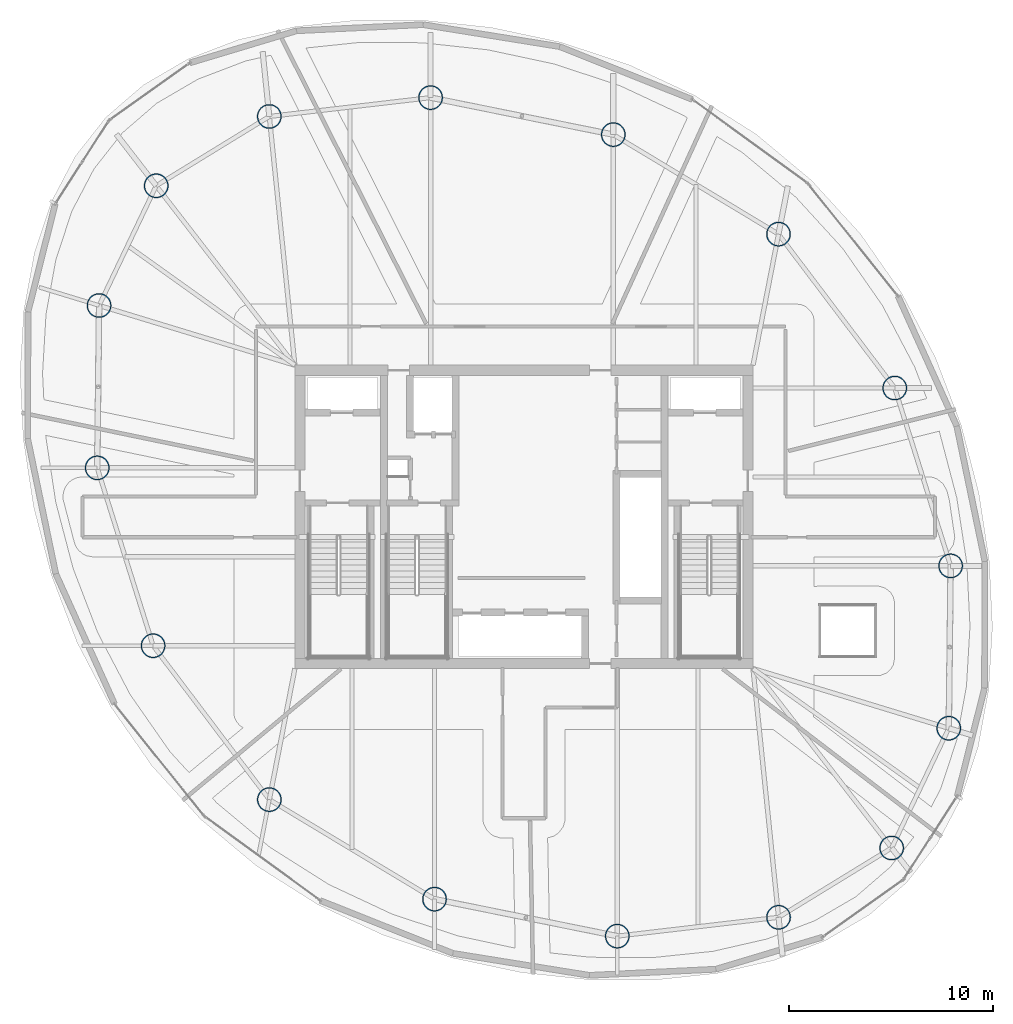
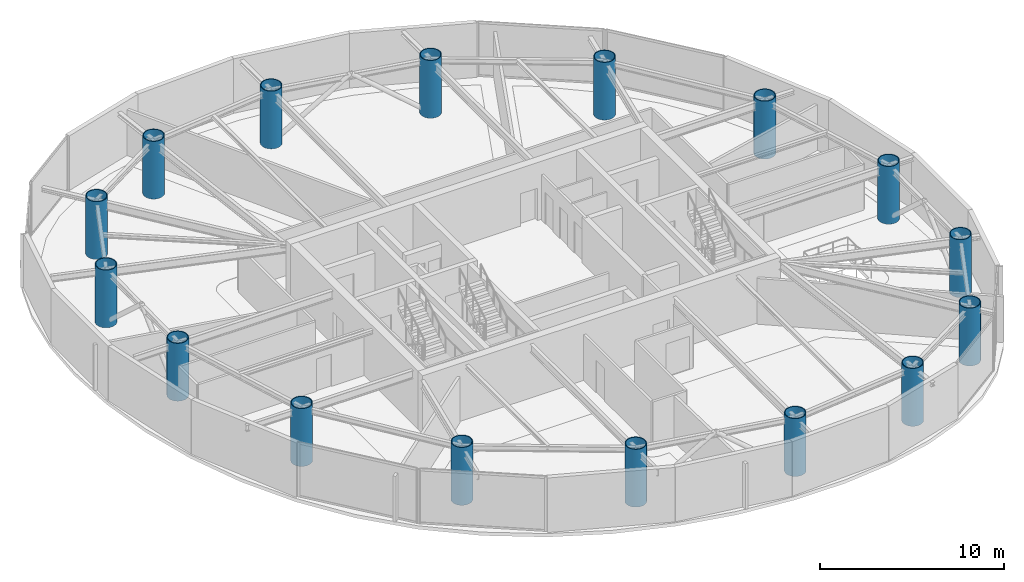
# One storey, part 1 of 18: 16 columns.
"""IFC4 building model written with IfcOpenShell, lengths in metres."""

from ifc_helpers import new_model, si_unit, direction, frame, origin, origin_2d, place, context, subcontext, project, spatial, hollow_circle, extrude, material, material_profile, profile_set, type_object, element, save


model = new_model("IFC4")

# Units and contexts
model_context = context("Model", 3, precision=1e-05, world=origin(), true_north=direction((0.0, 1.0)))
body_context = subcontext(model_context, "Body", "Model", "MODEL_VIEW")
ifc_project = project(units=[si_unit("LENGTHUNIT", "METRE"), si_unit("AREAUNIT", "SQUARE_METRE"), si_unit("VOLUMEUNIT", "CUBIC_METRE"), si_unit("PLANEANGLEUNIT", "RADIAN"), si_unit("MASSUNIT", "GRAM", prefix="KILO")], contexts=[model_context])

# Site, building, storey
site_placement = place(None, origin())
site = spatial("IfcSite", under=ifc_project, at=site_placement, CompositionType="ELEMENT")
building_placement = place(site_placement, origin())
building = spatial("IfcBuilding", under=site, at=building_placement, Name="Bramvorn Convention Spire", CompositionType="ELEMENT")
storey_placement = place(building_placement, frame((0.0, 0.0, 205.85009765625)))
storey = spatial("IfcBuildingStorey", under=building, at=storey_placement, Name="L52", CompositionType="ELEMENT", Elevation=205.85009765625)

# Columns
ifc_material = material(Name="Steel CSA G40.21 Grade 350 (350W)", Category="steel")
ifc_material_profile = material_profile(ifc_material, hollow_circle(Radius=0.60009765625, WallThickness=0.050048828125, at=origin_2d()))
ifc_profile_set = profile_set([ifc_material_profile], Name="Steel CSA G40.21 Grade 350 (350W) - CFT1200X50")
column_type = type_object("IfcColumnType", Name="COL-CFT1200X50", PredefinedType="COLUMN", material=ifc_profile_set)
for number, where, z_axis, x_axis, name in (
    (1, (56.058349609375, 9.739990234375, 0.0), (0.0, 0.0, 1.0), (1.0, 0.0, 0.0), "L52 composite CFT mega-column MC01"),
    (2, (58.863037109375, 15.619384765625, 0.0), (0.0, 0.0, 1.0), (1.0, 0.0, 0.0), "L52 composite CFT mega-column MC02"),
    (3, (58.95458984375, 23.593505859375, 0.0), (0.0, 0.0, 1.0), (1.0, 0.0, 0.0), "L52 composite CFT mega-column MC03"),
    (4, (56.21044921875, 32.327392578125, 0.0), (0.0, 0.0, 1.0), (1.0, 0.0, 0.0), "L52 composite CFT mega-column MC04"),
    (5, (50.501953125, 39.885009765625, 0.0), (0.0, 0.0, 1.0), (1.0, 0.0, 0.0), "L52 composite CFT mega-column MC05"),
    (6, (42.38916015625, 44.772216796875, 0.0), (0.0, 0.0, 1.0), (1.0, 0.0, 0.0), "L52 composite CFT mega-column MC06"),
    (7, (33.416259765625, 46.58837890625, 0.0), (0.0, 0.0, 1.0), (1.0, 0.0, 0.0), "L52 composite CFT mega-column MC07"),
    (8, (25.49560546875, 45.663818359375, 0.0), (0.0, 0.0, 1.0), (1.0, 0.0, 0.0), "L52 composite CFT mega-column MC08"),
    (9, (19.941650390625, 42.260009765625, 0.0), (0.0, 0.0, 1.0), (1.0, 0.0, 0.0), "L52 composite CFT mega-column MC09"),
    (10, (17.136962890625, 36.380615234375, 0.0), (0.0, 0.0, 1.0), (1.0, 0.0, 0.0), "L52 composite CFT mega-column MC10"),
    (11, (17.04541015625, 28.406494140625, 0.0), (0.0, 0.0, 1.0), (1.0, 0.0, 0.0), "L52 composite CFT mega-column MC11"),
    (12, (19.78955078125, 19.672607421875, 0.0), (0.0, 0.0, 1.0), (1.0, 0.0, 0.0), "L52 composite CFT mega-column MC12"),
    (13, (25.498046875, 12.114990234375, 0.0), (0.0, 0.0, 1.0), (1.0, 0.0, 0.0), "L52 composite CFT mega-column MC13"),
    (14, (33.61083984375, 7.227783203125, 0.0), (0.0, 0.0, 1.0), (1.0, 0.0, 0.0), "L52 composite CFT mega-column MC14"),
    (15, (42.583740234375, 5.41162109375, 0.0), (0.0, 0.0, 1.0), (1.0, 0.0, 0.0), "L52 composite CFT mega-column MC15"),
    (16, (50.50439453125, 6.336181640625, 0.0), (0.0, 0.0, 1.0), (1.0, 0.0, 0.0), "L52 composite CFT mega-column MC16"),
):
    element("IfcColumn", number, at=place(storey_placement, frame(where, z_axis=z_axis, x_axis=x_axis)), inside=storey, type_object=column_type, Name=name, PredefinedType="COLUMN", context=body_context, shape_type="SweptSolid", body=[
        extrude(hollow_circle(Radius=0.60009765625, WallThickness=0.050048828125, at=origin_2d()), origin(), (0.0, 0.0, 1.0), 3.849853515625),
    ])

save(model, "model.ifc")
